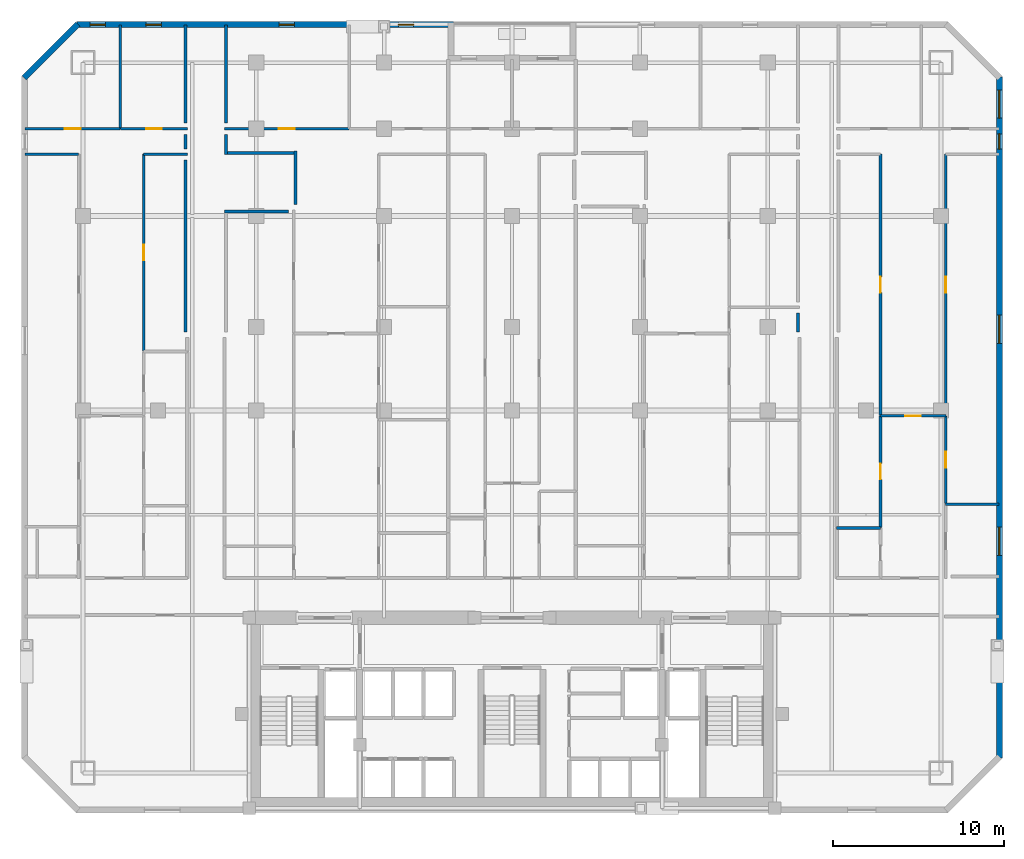
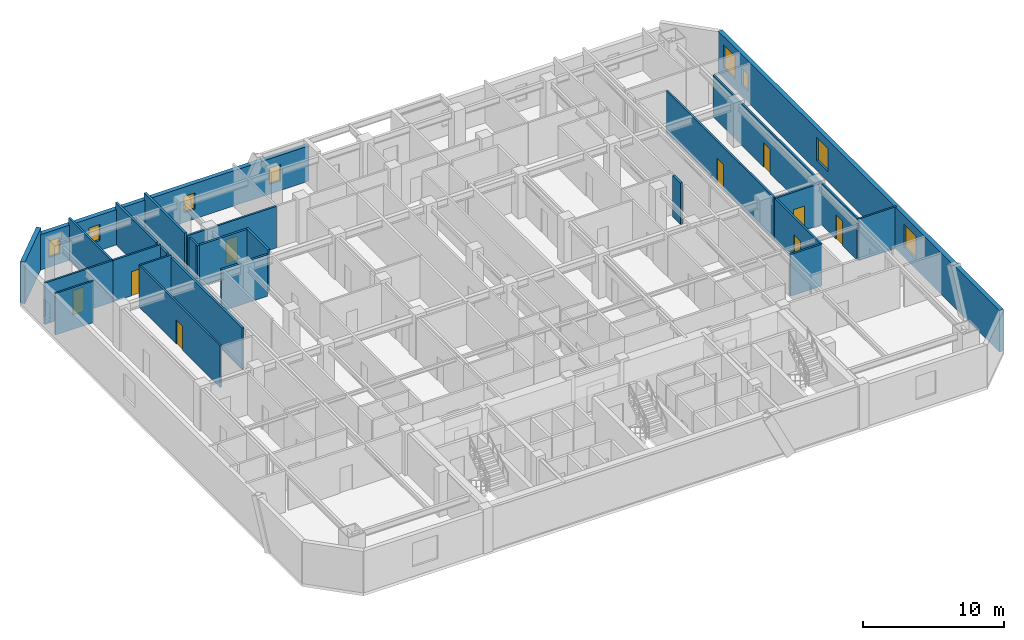
# One storey, part 7 of 10: 26 walls, 9 doors, 8 windows, 17 openings.
"""IFC4 building model written with IfcOpenShell, lengths in metres."""

from ifc_helpers import new_model, si_unit, direction, frame, frame_2d, origin, place, context, subcontext, project, spatial, rectangle, extrude, material, layer, layer_set, type_object, element, fill, save


model = new_model("IFC4")

# Units and contexts
model_context = context("Model", 3, precision=1e-05, world=origin(), true_north=direction((0.0, 1.0)))
body_context = subcontext(model_context, "Body", "Model", "MODEL_VIEW")
ifc_project = project(units=[si_unit("LENGTHUNIT", "METRE"), si_unit("AREAUNIT", "SQUARE_METRE"), si_unit("VOLUMEUNIT", "CUBIC_METRE"), si_unit("PLANEANGLEUNIT", "RADIAN"), si_unit("MASSUNIT", "GRAM", prefix="KILO")], contexts=[model_context])

# Site, building, storey
site_placement = place(None, origin())
site = spatial("IfcSite", under=ifc_project, at=site_placement, CompositionType="ELEMENT")
building_placement = place(site_placement, origin())
building = spatial("IfcBuilding", under=site, at=building_placement, Name="Ventersveld Concourse Tower", CompositionType="ELEMENT")
storey_placement = place(building_placement, frame((0.0, 0.0, 41.35009765625)))
storey = spatial("IfcBuildingStorey", under=building, at=storey_placement, Name="L09", CompositionType="ELEMENT", Elevation=41.35009765625)

# Walls
ifc_material_1 = material(Name="Fire-rated autoclaved aerated masonry blockwork", Category="masonry")
ifc_layer_1 = layer(ifc_material_1, 0.179931640625)
ifc_layer_set_1 = layer_set([ifc_layer_1], Name="Fire-rated autoclaved aerated masonry blockwork")
wall_type_1 = type_object("IfcWallType", Name="WL-CORR-180", PredefinedType="PARTITIONING", material=ifc_layer_set_1)
wall_1_placement = place(storey_placement, frame((9.6201171875, 39.794921875, 0.0), z_axis=(0.0, 0.0, 1.0), x_axis=(0.0, -1.0, 0.0)))
element("IfcWall", 1, at=wall_1_placement, inside=storey, type_object=wall_type_1, Name="L09 Room Enclosure Wall SP-L09-09NW-LIV", PredefinedType="PARTITIONING", context=body_context, shape_type="SweptSolid", body=[
    extrude(rectangle(XDim=0.849853515625, YDim=0.179931640625, at=frame_2d((0.4248046875, 0.0))), origin(), (0.0, 0.0, 1.0), 3.599853515625),
])
wall_2_placement = place(storey_placement, frame((9.6201171875, 38.294921875, 0.0), z_axis=(0.0, 0.0, 1.0), x_axis=(0.0, -1.0, 0.0)))
element("IfcWall", 2, at=wall_2_placement, inside=storey, type_object=wall_type_1, Name="L09 Room Enclosure Wall SP-L09-09NW-DENS", PredefinedType="PARTITIONING", context=body_context, shape_type="SweptSolid", body=[
    extrude(rectangle(XDim=10.0849609375, YDim=0.179931640625, at=frame_2d((5.04248046875, 0.0))), origin(), (0.0, 0.0, 1.0), 3.599853515625),
])
wall_3_placement = place(storey_placement, frame((9.6201171875, 46.18994140625, 0.0), z_axis=(0.0, 0.0, 1.0), x_axis=(0.0, -1.0, 0.0)))
element("IfcWall", 3, at=wall_3_placement, inside=storey, type_object=wall_type_1, Name="L09 Room Enclosure Wall SP-L09-09NW-BR2", PredefinedType="PARTITIONING", context=body_context, shape_type="SweptSolid", body=[
    extrude(rectangle(XDim=5.744873046875, YDim=0.179931640625, at=frame_2d((2.87255859375, 0.0))), origin(), (0.0, 0.0, 1.0), 3.599853515625),
])
wall_4_placement = place(storey_placement, frame((16.14501953125, 38.7099609375, 0.0), z_axis=(0.0, 0.0, 1.0), x_axis=(-1.0, 0.0, 0.0)))
element("IfcWall", 4, at=wall_4_placement, inside=storey, type_object=wall_type_1, Name="L09 Room Enclosure Wall SP-L09-09CW-LIV", PredefinedType="PARTITIONING", context=body_context, shape_type="SweptSolid", body=[
    extrude(rectangle(XDim=4.260009765625, YDim=0.179931640625, at=frame_2d((2.1298828125, 0.0))), origin(), (0.0, 0.0, 1.0), 3.599853515625),
])
wall_5_placement = place(storey_placement, frame((11.97998046875, 38.614990234375, 0.0), z_axis=(0.0, 0.0, 1.0), x_axis=(0.0, 1.0, 0.0)))
element("IfcWall", 5, at=wall_5_placement, inside=storey, type_object=wall_type_1, Name="L09 Room Enclosure Wall SP-L09-09CW-LIV", PredefinedType="PARTITIONING", context=body_context, shape_type="SweptSolid", body=[
    extrude(rectangle(XDim=1.179931640625, YDim=0.179931640625, at=frame_2d((0.58984375, 0.0))), origin(), (0.0, 0.0, 1.0), 3.599853515625),
])
wall_6_placement = place(storey_placement, frame((16.050048828125, 35.683837890625, 0.0), z_axis=(0.0, 0.0, 1.0), x_axis=(0.0, 1.0, 0.0)))
element("IfcWall", 6, at=wall_6_placement, inside=storey, type_object=wall_type_1, Name="L09 Room Enclosure Wall SP-L09-09CW-LIV", PredefinedType="PARTITIONING", context=body_context, shape_type="SweptSolid", body=[
    extrude(rectangle(XDim=3.12109375, YDim=0.179931640625, at=frame_2d((1.560546875, 0.0))), origin(), (0.0, 0.0, 1.0), 3.599853515625),
])
wall_7_placement = place(storey_placement, frame((11.885009765625, 35.27392578125, 0.0), z_axis=(0.0, 0.0, 1.0), x_axis=(1.0, 0.0, 0.0)))
element("IfcWall", 7, at=wall_7_placement, inside=storey, type_object=wall_type_1, Name="L09 Room Enclosure Wall SP-L09-09CW-DENL", PredefinedType="PARTITIONING", context=body_context, shape_type="SweptSolid", body=[
    extrude(rectangle(XDim=3.75, YDim=0.179931640625, at=frame_2d((1.875, 0.0))), origin(), (0.0, 0.0, 1.0), 3.599853515625),
])
wall_8_placement = place(storey_placement, frame((11.97998046875, 40.445068359375, 0.0), z_axis=(0.0, 0.0, 1.0), x_axis=(0.0, 1.0, 0.0)))
element("IfcWall", 8, at=wall_8_placement, inside=storey, type_object=wall_type_1, Name="L09 Room Enclosure Wall SP-L09-09CW-BR1", PredefinedType="PARTITIONING", context=body_context, shape_type="SweptSolid", body=[
    extrude(rectangle(XDim=5.744873046875, YDim=0.179931640625, at=frame_2d((2.87255859375, 0.0))), origin(), (0.0, 0.0, 1.0), 3.599853515625),
])
wall_9_placement = place(storey_placement, frame((45.52001953125, 29.324951171875, 0.0), z_axis=(0.0, 0.0, 1.0), x_axis=(0.0, -1.0, 0.0)))
element("IfcWall", 9, at=wall_9_placement, inside=storey, type_object=wall_type_1, Name="L09 Room Enclosure Wall SP-L09-09CE-DENS", PredefinedType="PARTITIONING", context=body_context, shape_type="SweptSolid", body=[
    extrude(rectangle(XDim=1.114990234375, YDim=0.179931640625, at=frame_2d((0.5576171875, 0.0))), origin(), (0.0, 0.0, 1.0), 3.599853515625),
])
ifc_material_2 = material(Name="Autoclaved aerated masonry blockwork", Category="masonry")
ifc_layer_2 = layer(ifc_material_2, 0.14990234375)
ifc_layer_set_2 = layer_set([ifc_layer_2], Name="Autoclaved aerated masonry blockwork")
wall_type_2 = type_object("IfcWallType", Name="WL-INT-150", PredefinedType="PARTITIONING", material=ifc_layer_set_2)
wall_10_placement = place(storey_placement, frame((0.2099609375, 38.6201171875, 0.0), z_axis=(0.0, 0.0, 1.0), x_axis=(1.0, 0.0, 0.0)))
element("IfcWall", 10, at=wall_10_placement, inside=storey, type_object=wall_type_2, Name="L09 Interior Partition SP-L09-09NW-LIV-SP-L09-09NW-MEDL0", PredefinedType="PARTITIONING", context=body_context, shape_type="SweptSolid", body=[
    extrude(rectangle(XDim=3.135986328125, YDim=0.14990234375, at=frame_2d((1.56787109375, 0.0))), origin(), (0.0, 0.0, 1.0), 3.599853515625),
])

# Wall, opening, door
wall_11_placement = place(storey_placement, frame((7.162841796875, 27.0947265625, 0.0), z_axis=(0.0, 0.0, 1.0), x_axis=(0.0, 1.0, 0.0)))
wall_11 = element("IfcWall", 11, at=wall_11_placement, inside=storey, type_object=wall_type_2, Name="L09 Interior Partition SP-L09-09NW-LIV-SP-L09-09NW-DENS", PredefinedType="PARTITIONING", context=body_context, shape_type="SweptSolid", body=[
    extrude(rectangle(XDim=11.5302734375, YDim=0.14990234375, at=frame_2d((5.76513671875, 0.0))), origin(), (0.0, 0.0, 1.0), 3.599853515625),
])
opening_1_placement = place(wall_11_placement, frame((5.30517578125, 0.0, 0.0)))
opening_1 = element("IfcOpeningElement", 12, at=opening_1_placement, cuts=wall_11, Name="Opening ID1", PredefinedType="OPENING", context=body_context, shape_type="SweptSolid", body=[
    extrude(rectangle(XDim=0.919921875, YDim=2.10009765625, at=frame_2d((0.4599609375, 1.050048828125))), frame((0.0, 0.0849609375, 0.0), z_axis=(0.0, -1.0, 0.0), x_axis=(1.0, 0.0, 0.0)), (0.0, 0.0, 1.0), 0.169921875),
])
ifc_material_3 = material(Name="Solid-core hardwood veneer timber", Category="wood")
door_type = type_object("IfcDoorType", Name="DR-ROOM-092", OperationType="NOTDEFINED", PredefinedType="DOOR", material=ifc_material_3)
door_1_placement = place(opening_1_placement, origin())
door_1 = element("IfcDoor", 13, at=door_1_placement, inside=storey, type_object=door_type, Name="L09 Interior Door SP-L09-09NW-LIV to SP-L09-09NW-DENS (D-L09-0320)", OperationType="SINGLE_SWING_RIGHT", OverallHeight=2.10009765625, OverallWidth=0.919921875, PredefinedType="DOOR", context=body_context, shape_type="SweptSolid", body=[
    extrude(rectangle(XDim=0.919921875, YDim=2.10009765625, at=frame_2d((0.4599609375, 1.050048828125))), frame((0.0, 0.02490234375, 0.0), z_axis=(0.0, -1.0, 0.0), x_axis=(1.0, 0.0, 0.0)), (0.0, 0.0, 1.0), 0.050048828125),
])
fill(opening_1, door_1)

# Wall
wall_12_placement = place(storey_placement, frame((7.157958984375, 38.6201171875, 0.0), z_axis=(0.0, 0.0, 1.0), x_axis=(1.0, 0.0, 0.0)))
element("IfcWall", 14, at=wall_12_placement, inside=storey, type_object=wall_type_2, Name="L09 Interior Partition SP-L09-09NW-LIV-SP-L09-09NW-DENS", PredefinedType="PARTITIONING", context=body_context, shape_type="SweptSolid", body=[
    extrude(rectangle(XDim=2.55712890625, YDim=0.14990234375, at=frame_2d((1.278564453125, 0.0))), origin(), (0.0, 0.0, 1.0), 3.599853515625),
])

# Wall, opening, door
wall_13_placement = place(storey_placement, frame((0.2099609375, 40.1201171875, 0.0), z_axis=(0.0, 0.0, 1.0), x_axis=(1.0, 0.0, 0.0)))
wall_13 = element("IfcWall", 15, at=wall_13_placement, inside=storey, type_object=wall_type_2, Name="L09 Interior Partition SP-L09-09NW-LIV-SP-L09-09NW-BR1", PredefinedType="PARTITIONING", context=body_context, shape_type="SweptSolid", body=[
    extrude(rectangle(XDim=5.566162109375, YDim=0.14990234375, at=frame_2d((2.783203125, 0.0))), origin(), (0.0, 0.0, 1.0), 3.599853515625),
])
opening_2_placement = place(wall_13_placement, frame((2.322998046875, 0.0, 0.0)))
opening_2 = element("IfcOpeningElement", 16, at=opening_2_placement, cuts=wall_13, Name="Opening ID1", PredefinedType="OPENING", context=body_context, shape_type="SweptSolid", body=[
    extrude(rectangle(XDim=0.919921875, YDim=2.10009765625, at=frame_2d((0.4599609375, 1.050048828125))), frame((0.0, 0.0849609375, 0.0), z_axis=(0.0, -1.0, 0.0), x_axis=(1.0, 0.0, 0.0)), (0.0, 0.0, 1.0), 0.169921875),
])
door_2_placement = place(opening_2_placement, origin())
door_2 = element("IfcDoor", 17, at=door_2_placement, inside=storey, type_object=door_type, Name="L09 Interior Door SP-L09-09NW-LIV to SP-L09-09NW-BR1 (D-L09-0321)", OperationType="SINGLE_SWING_LEFT", OverallHeight=2.10009765625, OverallWidth=0.919921875, PredefinedType="DOOR", context=body_context, shape_type="SweptSolid", body=[
    extrude(rectangle(XDim=0.919921875, YDim=2.10009765625, at=frame_2d((0.4599609375, 1.050048828125))), frame((0.0, 0.02490234375, 0.0), z_axis=(0.0, -1.0, 0.0), x_axis=(1.0, 0.0, 0.0)), (0.0, 0.0, 1.0), 0.050048828125),
])
fill(opening_2, door_2)

wall_14_placement = place(storey_placement, frame((5.80615234375, 40.1201171875, 0.0), z_axis=(0.0, 0.0, 1.0), x_axis=(1.0, 0.0, 0.0)))
wall_14 = element("IfcWall", 18, at=wall_14_placement, inside=storey, type_object=wall_type_2, Name="L09 Interior Partition SP-L09-09NW-LIV-SP-L09-09NW-BR2", PredefinedType="PARTITIONING", context=body_context, shape_type="SweptSolid", body=[
    extrude(rectangle(XDim=3.908935546875, YDim=0.14990234375, at=frame_2d((1.95458984375, 0.0))), origin(), (0.0, 0.0, 1.0), 3.599853515625),
])
opening_3_placement = place(wall_14_placement, frame((1.494384765625, 0.0, 0.0)))
opening_3 = element("IfcOpeningElement", 19, at=opening_3_placement, cuts=wall_14, Name="Opening ID1", PredefinedType="OPENING", context=body_context, shape_type="SweptSolid", body=[
    extrude(rectangle(XDim=0.919921875, YDim=2.10009765625, at=frame_2d((0.4599609375, 1.050048828125))), frame((0.0, 0.0849609375, 0.0), z_axis=(0.0, -1.0, 0.0), x_axis=(1.0, 0.0, 0.0)), (0.0, 0.0, 1.0), 0.169921875),
])
door_3_placement = place(opening_3_placement, origin())
door_3 = element("IfcDoor", 20, at=door_3_placement, inside=storey, type_object=door_type, Name="L09 Interior Door SP-L09-09NW-LIV to SP-L09-09NW-BR2 (D-L09-0322)", OperationType="SINGLE_SWING_RIGHT", OverallHeight=2.10009765625, OverallWidth=0.919921875, PredefinedType="DOOR", context=body_context, shape_type="SweptSolid", body=[
    extrude(rectangle(XDim=0.919921875, YDim=2.10009765625, at=frame_2d((0.4599609375, 1.050048828125))), frame((0.0, 0.02490234375, 0.0), z_axis=(0.0, -1.0, 0.0), x_axis=(1.0, 0.0, 0.0)), (0.0, 0.0, 1.0), 0.050048828125),
])
fill(opening_3, door_3)

# Wall
wall_15_placement = place(storey_placement, frame((5.771240234375, 40.114990234375, 0.0), z_axis=(0.0, 0.0, 1.0), x_axis=(0.0, 1.0, 0.0)))
element("IfcWall", 21, at=wall_15_placement, inside=storey, type_object=wall_type_2, Name="L09 Interior Partition SP-L09-09NW-BR1-SP-L09-09NW-BR2", PredefinedType="PARTITIONING", context=body_context, shape_type="SweptSolid", body=[
    extrude(rectangle(XDim=6.074951171875, YDim=0.14990234375, at=frame_2d((3.03759765625, 0.0))), origin(), (0.0, 0.0, 1.0), 3.599853515625),
])

# Wall, opening, door
wall_16_placement = place(storey_placement, frame((50.35009765625, 23.2822265625, 0.0), z_axis=(0.0, 0.0, 1.0), x_axis=(1.0, 0.0, 0.0)))
wall_16 = element("IfcWall", 22, at=wall_16_placement, inside=storey, type_object=wall_type_2, Name="L09 Interior Partition SP-L09-09NE-FOY-SP-L09-09NE-LIV", PredefinedType="PARTITIONING", context=body_context, shape_type="SweptSolid", body=[
    extrude(rectangle(XDim=3.83203125, YDim=0.14990234375, at=frame_2d((1.916015625, 0.0))), origin(), (0.0, 0.0, 1.0), 3.599853515625),
])
opening_4_placement = place(wall_16_placement, frame((1.4560546875, 0.0, 0.0)))
opening_4 = element("IfcOpeningElement", 23, at=opening_4_placement, cuts=wall_16, Name="Opening ID1", PredefinedType="OPENING", context=body_context, shape_type="SweptSolid", body=[
    extrude(rectangle(XDim=0.919921875, YDim=2.10009765625, at=frame_2d((0.4599609375, 1.050048828125))), frame((0.0, 0.0849609375, 0.0), z_axis=(0.0, -1.0, 0.0), x_axis=(1.0, 0.0, 0.0)), (0.0, 0.0, 1.0), 0.169921875),
])
door_4_placement = place(opening_4_placement, origin())
door_4 = element("IfcDoor", 24, at=door_4_placement, inside=storey, type_object=door_type, Name="L09 Interior Door SP-L09-09NE-FOY to SP-L09-09NE-LIV (D-L09-0323)", OperationType="SINGLE_SWING_LEFT", OverallHeight=2.10009765625, OverallWidth=0.919921875, PredefinedType="DOOR", context=body_context, shape_type="SweptSolid", body=[
    extrude(rectangle(XDim=0.919921875, YDim=2.10009765625, at=frame_2d((0.4599609375, 1.050048828125))), frame((0.0, 0.02490234375, 0.0), z_axis=(0.0, -1.0, 0.0), x_axis=(1.0, 0.0, 0.0)), (0.0, 0.0, 1.0), 0.050048828125),
])
fill(opening_4, door_4)

wall_17_placement = place(storey_placement, frame((50.355224609375, 16.752197265625, 0.0), z_axis=(0.0, 0.0, 1.0), x_axis=(0.0, 1.0, 0.0)))
wall_17 = element("IfcWall", 25, at=wall_17_placement, inside=storey, type_object=wall_type_2, Name="L09 Interior Partition SP-L09-09NE-FOY-SP-L09-09NE-MEDL0", PredefinedType="PARTITIONING", context=body_context, shape_type="SweptSolid", body=[
    extrude(rectangle(XDim=6.534912109375, YDim=0.14990234375, at=frame_2d((3.267578125, 0.0))), origin(), (0.0, 0.0, 1.0), 3.599853515625),
])
opening_5_placement = place(wall_17_placement, frame((2.8076171875, 0.0, 0.0)))
opening_5 = element("IfcOpeningElement", 26, at=opening_5_placement, cuts=wall_17, Name="Opening ID1", PredefinedType="OPENING", context=body_context, shape_type="SweptSolid", body=[
    extrude(rectangle(XDim=0.919921875, YDim=2.10009765625, at=frame_2d((0.4599609375, 1.050048828125))), frame((0.0, 0.0849609375, 0.0), z_axis=(0.0, -1.0, 0.0), x_axis=(1.0, 0.0, 0.0)), (0.0, 0.0, 1.0), 0.169921875),
])
door_5_placement = place(opening_5_placement, origin())
door_5 = element("IfcDoor", 27, at=door_5_placement, inside=storey, type_object=door_type, Name="L09 Interior Door SP-L09-09NE-FOY to SP-L09-09NE-MEDL0 (D-L09-0325)", OperationType="SINGLE_SWING_LEFT", OverallHeight=2.10009765625, OverallWidth=0.919921875, PredefinedType="DOOR", context=body_context, shape_type="SweptSolid", body=[
    extrude(rectangle(XDim=0.919921875, YDim=2.10009765625, at=frame_2d((0.4599609375, 1.050048828125))), frame((0.0, 0.02490234375, 0.0), z_axis=(0.0, -1.0, 0.0), x_axis=(1.0, 0.0, 0.0)), (0.0, 0.0, 1.0), 0.050048828125),
])
fill(opening_5, door_5)

wall_18_placement = place(storey_placement, frame((54.17724609375, 18.1357421875, 0.0), z_axis=(0.0, 0.0, 1.0), x_axis=(0.0, 1.0, 0.0)))
wall_18 = element("IfcWall", 28, at=wall_18_placement, inside=storey, type_object=wall_type_2, Name="L09 Interior Partition SP-L09-09NE-FOY-SP-L09-09NE-DENR", PredefinedType="PARTITIONING", context=body_context, shape_type="SweptSolid", body=[
    extrude(rectangle(XDim=5.1513671875, YDim=0.14990234375, at=frame_2d((2.57568359375, 0.0))), origin(), (0.0, 0.0, 1.0), 3.599853515625),
])
opening_6_placement = place(wall_18_placement, frame((2.11572265625, 0.0, 0.0)))
opening_6 = element("IfcOpeningElement", 29, at=opening_6_placement, cuts=wall_18, Name="Opening ID1", PredefinedType="OPENING", context=body_context, shape_type="SweptSolid", body=[
    extrude(rectangle(XDim=0.919921875, YDim=2.10009765625, at=frame_2d((0.4599609375, 1.050048828125))), frame((0.0, 0.0849609375, 0.0), z_axis=(0.0, -1.0, 0.0), x_axis=(1.0, 0.0, 0.0)), (0.0, 0.0, 1.0), 0.169921875),
])
door_6_placement = place(opening_6_placement, origin())
door_6 = element("IfcDoor", 30, at=door_6_placement, inside=storey, type_object=door_type, Name="L09 Interior Door SP-L09-09NE-FOY to SP-L09-09NE-DENR (D-L09-0327)", OperationType="SINGLE_SWING_LEFT", OverallHeight=2.10009765625, OverallWidth=0.919921875, PredefinedType="DOOR", context=body_context, shape_type="SweptSolid", body=[
    extrude(rectangle(XDim=0.919921875, YDim=2.10009765625, at=frame_2d((0.4599609375, 1.050048828125))), frame((0.0, 0.02490234375, 0.0), z_axis=(0.0, -1.0, 0.0), x_axis=(1.0, 0.0, 0.0)), (0.0, 0.0, 1.0), 0.050048828125),
])
fill(opening_6, door_6)

wall_19_placement = place(storey_placement, frame((50.355224609375, 23.317138671875, 0.0), z_axis=(0.0, 0.0, 1.0), x_axis=(0.0, 1.0, 0.0)))
wall_19 = element("IfcWall", 31, at=wall_19_placement, inside=storey, type_object=wall_type_2, Name="L09 Interior Partition SP-L09-09NE-LIV-SP-L09-09NE-MEDL0", PredefinedType="PARTITIONING", context=body_context, shape_type="SweptSolid", body=[
    extrude(rectangle(XDim=15.307861328125, YDim=0.14990234375, at=frame_2d((7.65380859375, 0.0))), origin(), (0.0, 0.0, 1.0), 3.599853515625),
])
opening_7_placement = place(wall_19_placement, frame((7.19384765625, 0.0, 0.0)))
opening_7 = element("IfcOpeningElement", 32, at=opening_7_placement, cuts=wall_19, Name="Opening ID1", PredefinedType="OPENING", context=body_context, shape_type="SweptSolid", body=[
    extrude(rectangle(XDim=0.919921875, YDim=2.10009765625, at=frame_2d((0.4599609375, 1.050048828125))), frame((0.0, 0.0849609375, 0.0), z_axis=(0.0, -1.0, 0.0), x_axis=(1.0, 0.0, 0.0)), (0.0, 0.0, 1.0), 0.169921875),
])
door_7_placement = place(opening_7_placement, origin())
door_7 = element("IfcDoor", 33, at=door_7_placement, inside=storey, type_object=door_type, Name="L09 Interior Door SP-L09-09NE-LIV to SP-L09-09NE-MEDL0 (D-L09-0328)", OperationType="SINGLE_SWING_RIGHT", OverallHeight=2.10009765625, OverallWidth=0.919921875, PredefinedType="DOOR", context=body_context, shape_type="SweptSolid", body=[
    extrude(rectangle(XDim=0.919921875, YDim=2.10009765625, at=frame_2d((0.4599609375, 1.050048828125))), frame((0.0, 0.02490234375, 0.0), z_axis=(0.0, -1.0, 0.0), x_axis=(1.0, 0.0, 0.0)), (0.0, 0.0, 1.0), 0.050048828125),
])
fill(opening_7, door_7)

wall_20_placement = place(storey_placement, frame((54.17724609375, 23.317138671875, 0.0), z_axis=(0.0, 0.0, 1.0), x_axis=(0.0, 1.0, 0.0)))
wall_20 = element("IfcWall", 34, at=wall_20_placement, inside=storey, type_object=wall_type_2, Name="L09 Interior Partition SP-L09-09NE-LIV-SP-L09-09NE-DENR", PredefinedType="PARTITIONING", context=body_context, shape_type="SweptSolid", body=[
    extrude(rectangle(XDim=15.307861328125, YDim=0.14990234375, at=frame_2d((7.65380859375, 0.0))), origin(), (0.0, 0.0, 1.0), 3.599853515625),
])
opening_8_placement = place(wall_20_placement, frame((7.19384765625, 0.0, 0.0)))
opening_8 = element("IfcOpeningElement", 35, at=opening_8_placement, cuts=wall_20, Name="Opening ID1", PredefinedType="OPENING", context=body_context, shape_type="SweptSolid", body=[
    extrude(rectangle(XDim=0.919921875, YDim=2.10009765625, at=frame_2d((0.4599609375, 1.050048828125))), frame((0.0, 0.0849609375, 0.0), z_axis=(0.0, -1.0, 0.0), x_axis=(1.0, 0.0, 0.0)), (0.0, 0.0, 1.0), 0.169921875),
])
door_8_placement = place(opening_8_placement, origin())
door_8 = element("IfcDoor", 36, at=door_8_placement, inside=storey, type_object=door_type, Name="L09 Interior Door SP-L09-09NE-LIV to SP-L09-09NE-DENR (D-L09-0329)", OperationType="SINGLE_SWING_LEFT", OverallHeight=2.10009765625, OverallWidth=0.919921875, PredefinedType="DOOR", context=body_context, shape_type="SweptSolid", body=[
    extrude(rectangle(XDim=0.919921875, YDim=2.10009765625, at=frame_2d((0.4599609375, 1.050048828125))), frame((0.0, 0.02490234375, 0.0), z_axis=(0.0, -1.0, 0.0), x_axis=(1.0, 0.0, 0.0)), (0.0, 0.0, 1.0), 0.050048828125),
])
fill(opening_8, door_8)

# Wall
wall_21_placement = place(storey_placement, frame((54.172119140625, 18.100830078125, 0.0), z_axis=(0.0, 0.0, 1.0), x_axis=(1.0, 0.0, 0.0)))
element("IfcWall", 37, at=wall_21_placement, inside=storey, type_object=wall_type_2, Name="L09 Interior Partition SP-L09-09NE-KIT-SP-L09-09NE-DENR", PredefinedType="PARTITIONING", context=body_context, shape_type="SweptSolid", body=[
    extrude(rectangle(XDim=3.117919921875, YDim=0.14990234375, at=frame_2d((1.55908203125, 0.0))), origin(), (0.0, 0.0, 1.0), 3.599853515625),
])

# Wall, opening, door
wall_22_placement = place(storey_placement, frame((11.885009765625, 40.1201171875, 0.0), z_axis=(0.0, 0.0, 1.0), x_axis=(1.0, 0.0, 0.0)))
wall_22 = element("IfcWall", 38, at=wall_22_placement, inside=storey, type_object=wall_type_2, Name="L09 Interior Partition SP-L09-09CW-LIV-SP-L09-09CW-BR1", PredefinedType="PARTITIONING", context=body_context, shape_type="SweptSolid", body=[
    extrude(rectangle(XDim=7.320556640625, YDim=0.14990234375, at=frame_2d((3.66015625, 0.0))), origin(), (0.0, 0.0, 1.0), 3.599853515625),
])
opening_9_placement = place(wall_22_placement, frame((3.2001953125, 0.0, 0.0)))
opening_9 = element("IfcOpeningElement", 39, at=opening_9_placement, cuts=wall_22, Name="Opening ID1", PredefinedType="OPENING", context=body_context, shape_type="SweptSolid", body=[
    extrude(rectangle(XDim=0.919921875, YDim=2.10009765625, at=frame_2d((0.4599609375, 1.050048828125))), frame((0.0, 0.0849609375, 0.0), z_axis=(0.0, -1.0, 0.0), x_axis=(1.0, 0.0, 0.0)), (0.0, 0.0, 1.0), 0.169921875),
])
door_9_placement = place(opening_9_placement, origin())
door_9 = element("IfcDoor", 40, at=door_9_placement, inside=storey, type_object=door_type, Name="L09 Interior Door SP-L09-09CW-LIV to SP-L09-09CW-BR1 (D-L09-0341)", OperationType="SINGLE_SWING_LEFT", OverallHeight=2.10009765625, OverallWidth=0.919921875, PredefinedType="DOOR", context=body_context, shape_type="SweptSolid", body=[
    extrude(rectangle(XDim=0.919921875, YDim=2.10009765625, at=frame_2d((0.4599609375, 1.050048828125))), frame((0.0, 0.02490234375, 0.0), z_axis=(0.0, -1.0, 0.0), x_axis=(1.0, 0.0, 0.0)), (0.0, 0.0, 1.0), 0.050048828125),
])
fill(opening_9, door_9)

# Wall, openings, windows
ifc_material_4 = material(Name="Precast concrete C45/55", Category="concrete")
ifc_layer_3 = layer(ifc_material_4, 0.35009765625)
ifc_layer_set_3 = layer_set([ifc_layer_3], Name="Precast concrete C45/55")
wall_type_3 = type_object("IfcWallType", Name="WL-PREC-350", PredefinedType="SOLIDWALL", material=ifc_layer_set_3)
wall_23_placement = place(storey_placement, frame((57.324951171875, 3.239990234375, 0.0), z_axis=(0.0, 0.0, 1.0), x_axis=(0.0, 1.0, 0.0)))
wall_23 = element("IfcWall", 41, at=wall_23_placement, inside=storey, type_object=wall_type_3, Name="L09 Highveld Precast Facade Wall E03", PredefinedType="SOLIDWALL", context=body_context, shape_type="SweptSolid", body=[
    extrude(rectangle(XDim=39.919921875, YDim=0.35009765625, at=frame_2d((19.9599609375, 0.0))), origin(), (0.0, 0.0, 1.0), 3.599853515625),
])
opening_10_placement = place(wall_23_placement, frame((35.679931640625, 0.0, 0.949951171875)))
opening_10 = element("IfcOpeningElement", 42, at=opening_10_placement, cuts=wall_23, Name="Opening W4", PredefinedType="OPENING", context=body_context, shape_type="SweptSolid", body=[
    extrude(rectangle(XDim=0.89990234375, YDim=1.5, at=frame_2d((0.449951171875, 0.75))), frame((0.0, 0.18505859375, 0.0), z_axis=(0.0, -1.0, 0.0), x_axis=(1.0, 0.0, 0.0)), (0.0, 0.0, 1.0), 0.3701171875),
])
opening_11_placement = place(wall_23_placement, frame((11.870361328125, 0.0, 0.8798828125)))
opening_11 = element("IfcOpeningElement", 43, at=opening_11_placement, cuts=wall_23, Name="Opening W6", PredefinedType="OPENING", context=body_context, shape_type="SweptSolid", body=[
    extrude(rectangle(XDim=1.64990234375, YDim=2.0, at=frame_2d((0.824951171875, 1.0))), frame((0.0, 0.18505859375, 0.0), z_axis=(0.0, -1.0, 0.0), x_axis=(1.0, 0.0, 0.0)), (0.0, 0.0, 1.0), 0.3701171875),
])
opening_12_placement = place(wall_23_placement, frame((24.29541015625, 0.0, 0.8798828125)))
opening_12 = element("IfcOpeningElement", 44, at=opening_12_placement, cuts=wall_23, Name="Opening W6", PredefinedType="OPENING", context=body_context, shape_type="SweptSolid", body=[
    extrude(rectangle(XDim=1.64990234375, YDim=2.0, at=frame_2d((0.824951171875, 1.0))), frame((0.0, 0.18505859375, 0.0), z_axis=(0.0, -1.0, 0.0), x_axis=(1.0, 0.0, 0.0)), (0.0, 0.0, 1.0), 0.3701171875),
])
opening_13_placement = place(wall_23_placement, frame((37.5, 0.0, 0.8798828125)))
opening_13 = element("IfcOpeningElement", 45, at=opening_13_placement, cuts=wall_23, Name="Opening W6", PredefinedType="OPENING", context=body_context, shape_type="SweptSolid", body=[
    extrude(rectangle(XDim=1.64990234375, YDim=2.0, at=frame_2d((0.824951171875, 1.0))), frame((0.0, 0.18505859375, 0.0), z_axis=(0.0, -1.0, 0.0), x_axis=(1.0, 0.0, 0.0)), (0.0, 0.0, 1.0), 0.3701171875),
])
ifc_material_5 = material(Name="Tempered acoustic Low-E IGU", Category="glass")
window_type_1 = type_object("IfcWindowType", Name="WIN-090x150", PartitioningType="SINGLE_PANEL", PredefinedType="WINDOW", material=ifc_material_5)
window_1_placement = place(opening_10_placement, origin())
window_1 = element("IfcWindow", 46, at=window_1_placement, inside=storey, type_object=window_type_1, Name="L09 Punched Low-E Window W-0039", OverallHeight=1.5, OverallWidth=0.89990234375, PartitioningType="SINGLE_PANEL", PredefinedType="WINDOW", context=body_context, shape_type="SweptSolid", body=[
    extrude(rectangle(XDim=0.89990234375, YDim=1.5, at=frame_2d((0.449951171875, 0.75))), frame((0.0, 0.030029296875, 0.0), z_axis=(0.0, -1.0, 0.0), x_axis=(1.0, 0.0, 0.0)), (0.0, 0.0, 1.0), 0.06005859375),
])
fill(opening_10, window_1)
window_type_2 = type_object("IfcWindowType", Name="WIN-165x200", PartitioningType="SINGLE_PANEL", PredefinedType="WINDOW", material=ifc_material_5)
window_2_placement = place(opening_11_placement, origin())
window_2 = element("IfcWindow", 47, at=window_2_placement, inside=storey, type_object=window_type_2, Name="L09 Punched Low-E Window W-0040", OverallHeight=2.0, OverallWidth=1.64990234375, PartitioningType="SINGLE_PANEL", PredefinedType="WINDOW", context=body_context, shape_type="SweptSolid", body=[
    extrude(rectangle(XDim=1.64990234375, YDim=2.0, at=frame_2d((0.824951171875, 1.0))), frame((0.0, 0.030029296875, 0.0), z_axis=(0.0, -1.0, 0.0), x_axis=(1.0, 0.0, 0.0)), (0.0, 0.0, 1.0), 0.06005859375),
])
fill(opening_11, window_2)
window_3_placement = place(opening_12_placement, origin())
window_3 = element("IfcWindow", 48, at=window_3_placement, inside=storey, type_object=window_type_2, Name="L09 Punched Low-E Window W-0041", OverallHeight=2.0, OverallWidth=1.64990234375, PartitioningType="SINGLE_PANEL", PredefinedType="WINDOW", context=body_context, shape_type="SweptSolid", body=[
    extrude(rectangle(XDim=1.64990234375, YDim=2.0, at=frame_2d((0.824951171875, 1.0))), frame((0.0, 0.030029296875, 0.0), z_axis=(0.0, -1.0, 0.0), x_axis=(1.0, 0.0, 0.0)), (0.0, 0.0, 1.0), 0.06005859375),
])
fill(opening_12, window_3)
window_4_placement = place(opening_13_placement, origin())
window_4 = element("IfcWindow", 49, at=window_4_placement, inside=storey, type_object=window_type_2, Name="L09 Punched Low-E Window W-0043", OverallHeight=2.0, OverallWidth=1.64990234375, PartitioningType="SINGLE_PANEL", PredefinedType="WINDOW", context=body_context, shape_type="SweptSolid", body=[
    extrude(rectangle(XDim=1.64990234375, YDim=2.0, at=frame_2d((0.824951171875, 1.0))), frame((0.0, 0.030029296875, 0.0), z_axis=(0.0, -1.0, 0.0), x_axis=(1.0, 0.0, 0.0)), (0.0, 0.0, 1.0), 0.06005859375),
])
fill(opening_13, window_4)

wall_24_placement = place(storey_placement, frame((25.31005859375, 46.22509765625, 0.0), z_axis=(0.0, 0.0, 1.0), x_axis=(-1.0, 0.0, 0.0)))
wall_24 = element("IfcWall", 50, at=wall_24_placement, inside=storey, type_object=wall_type_3, Name="L09 Highveld Precast Facade Wall E09", PredefinedType="SOLIDWALL", context=body_context, shape_type="SweptSolid", body=[
    extrude(rectangle(XDim=22.070068359375, YDim=0.35009765625, at=frame_2d((11.03515625, 0.0))), origin(), (0.0, 0.0, 1.0), 3.055419921875),
])
opening_14_placement = place(wall_24_placement, frame((20.39990234375, 0.0, 0.85009765625)))
opening_14 = element("IfcOpeningElement", 51, at=opening_14_placement, cuts=wall_24, Name="Opening W8", PredefinedType="OPENING", context=body_context, shape_type="SweptSolid", body=[
    extrude(rectangle(XDim=0.89990234375, YDim=1.39990234375, at=frame_2d((0.449951171875, 0.699951171875))), frame((0.0, 0.18505859375, 0.0), z_axis=(0.0, -1.0, 0.0), x_axis=(1.0, 0.0, 0.0)), (0.0, 0.0, 1.0), 0.3701171875),
])
opening_15_placement = place(wall_24_placement, frame((17.119384765625, 0.0, 0.85009765625)))
opening_15 = element("IfcOpeningElement", 52, at=opening_15_placement, cuts=wall_24, Name="Opening W8", PredefinedType="OPENING", context=body_context, shape_type="SweptSolid", body=[
    extrude(rectangle(XDim=0.89990234375, YDim=1.39990234375, at=frame_2d((0.449951171875, 0.699951171875))), frame((0.0, 0.18505859375, 0.0), z_axis=(0.0, -1.0, 0.0), x_axis=(1.0, 0.0, 0.0)), (0.0, 0.0, 1.0), 0.3701171875),
])
opening_16_placement = place(wall_24_placement, frame((9.314697265625, 0.0, 0.85009765625)))
opening_16 = element("IfcOpeningElement", 53, at=opening_16_placement, cuts=wall_24, Name="Opening W8", PredefinedType="OPENING", context=body_context, shape_type="SweptSolid", body=[
    extrude(rectangle(XDim=0.89990234375, YDim=1.39990234375, at=frame_2d((0.449951171875, 0.699951171875))), frame((0.0, 0.18505859375, 0.0), z_axis=(0.0, -1.0, 0.0), x_axis=(1.0, 0.0, 0.0)), (0.0, 0.0, 1.0), 0.3701171875),
])
opening_17_placement = place(wall_24_placement, frame((2.320556640625, 0.0, 0.85009765625)))
opening_17 = element("IfcOpeningElement", 54, at=opening_17_placement, cuts=wall_24, Name="Opening W8", PredefinedType="OPENING", context=body_context, shape_type="SweptSolid", body=[
    extrude(rectangle(XDim=0.89990234375, YDim=1.39990234375, at=frame_2d((0.449951171875, 0.699951171875))), frame((0.0, 0.18505859375, 0.0), z_axis=(0.0, -1.0, 0.0), x_axis=(1.0, 0.0, 0.0)), (0.0, 0.0, 1.0), 0.3701171875),
])
window_type_3 = type_object("IfcWindowType", Name="WIN-090x140", PartitioningType="SINGLE_PANEL", PredefinedType="WINDOW", material=ifc_material_5)
window_5_placement = place(opening_14_placement, origin())
window_5 = element("IfcWindow", 55, at=window_5_placement, inside=storey, type_object=window_type_3, Name="L09 Punched Low-E Window W-0037", OverallHeight=1.39990234375, OverallWidth=0.89990234375, PartitioningType="SINGLE_PANEL", PredefinedType="WINDOW", context=body_context, shape_type="SweptSolid", body=[
    extrude(rectangle(XDim=0.89990234375, YDim=1.39990234375, at=frame_2d((0.449951171875, 0.699951171875))), frame((0.0, 0.030029296875, 0.0), z_axis=(0.0, -1.0, 0.0), x_axis=(1.0, 0.0, 0.0)), (0.0, 0.0, 1.0), 0.06005859375),
])
fill(opening_14, window_5)
window_6_placement = place(opening_15_placement, origin())
window_6 = element("IfcWindow", 56, at=window_6_placement, inside=storey, type_object=window_type_3, Name="L09 Punched Low-E Window W-0038", OverallHeight=1.39990234375, OverallWidth=0.89990234375, PartitioningType="SINGLE_PANEL", PredefinedType="WINDOW", context=body_context, shape_type="SweptSolid", body=[
    extrude(rectangle(XDim=0.89990234375, YDim=1.39990234375, at=frame_2d((0.449951171875, 0.699951171875))), frame((0.0, 0.030029296875, 0.0), z_axis=(0.0, -1.0, 0.0), x_axis=(1.0, 0.0, 0.0)), (0.0, 0.0, 1.0), 0.06005859375),
])
fill(opening_15, window_6)
window_7_placement = place(opening_16_placement, origin())
window_7 = element("IfcWindow", 57, at=window_7_placement, inside=storey, type_object=window_type_3, Name="L09 Punched Low-E Window W-0044", OverallHeight=1.39990234375, OverallWidth=0.89990234375, PartitioningType="SINGLE_PANEL", PredefinedType="WINDOW", context=body_context, shape_type="SweptSolid", body=[
    extrude(rectangle(XDim=0.89990234375, YDim=1.39990234375, at=frame_2d((0.449951171875, 0.699951171875))), frame((0.0, 0.030029296875, 0.0), z_axis=(0.0, -1.0, 0.0), x_axis=(1.0, 0.0, 0.0)), (0.0, 0.0, 1.0), 0.06005859375),
])
fill(opening_16, window_7)
window_8_placement = place(opening_17_placement, origin())
window_8 = element("IfcWindow", 58, at=window_8_placement, inside=storey, type_object=window_type_3, Name="L09 Punched Low-E Window W-0045", OverallHeight=1.39990234375, OverallWidth=0.89990234375, PartitioningType="SINGLE_PANEL", PredefinedType="WINDOW", context=body_context, shape_type="SweptSolid", body=[
    extrude(rectangle(XDim=0.89990234375, YDim=1.39990234375, at=frame_2d((0.449951171875, 0.699951171875))), frame((0.0, 0.030029296875, 0.0), z_axis=(0.0, -1.0, 0.0), x_axis=(1.0, 0.0, 0.0)), (0.0, 0.0, 1.0), 0.06005859375),
])
fill(opening_17, window_8)

# Walls
wall_25_placement = place(storey_placement, frame((3.29541015625, 46.248046875, 0.0), z_axis=(0.0, 0.0, 1.0), x_axis=(-0.707079321262, -0.707134240044, 0.0)))
element("IfcWall", 59, at=wall_25_placement, inside=storey, type_object=wall_type_3, Name="L09 Highveld Precast Facade Wall E10", PredefinedType="SOLIDWALL", context=body_context, shape_type="SweptSolid", body=[
    extrude(rectangle(XDim=4.445556640625, YDim=0.35009765625, at=frame_2d((2.22265625, 0.0))), origin(), (0.0, 0.0, 1.0), 3.599853515625),
])
ifc_layer_4 = layer(ifc_material_2, 0.1650390625)
ifc_layer_set_4 = layer_set([ifc_layer_4], Name="Autoclaved aerated masonry blockwork")
wall_type_4 = type_object("IfcWallType", Name="WL-WET-165", PredefinedType="PLUMBINGWALL", material=ifc_layer_set_4)
wall_26_placement = place(storey_placement, frame((47.784912109375, 16.717041015625, 0.0), z_axis=(0.0, 0.0, 1.0), x_axis=(1.0, 0.0, 0.0)))
element("IfcWall", 60, at=wall_26_placement, inside=storey, type_object=wall_type_4, Name="L09 Interior Partition SP-L09-09NE-BATH-SP-L09-09NE-MEDL0", PredefinedType="PLUMBINGWALL", context=body_context, shape_type="SweptSolid", body=[
    extrude(rectangle(XDim=2.5751953125, YDim=0.1650390625, at=frame_2d((1.28759765625, 0.0))), origin(), (0.0, 0.0, 1.0), 3.599853515625),
])

save(model, "model.ifc")
